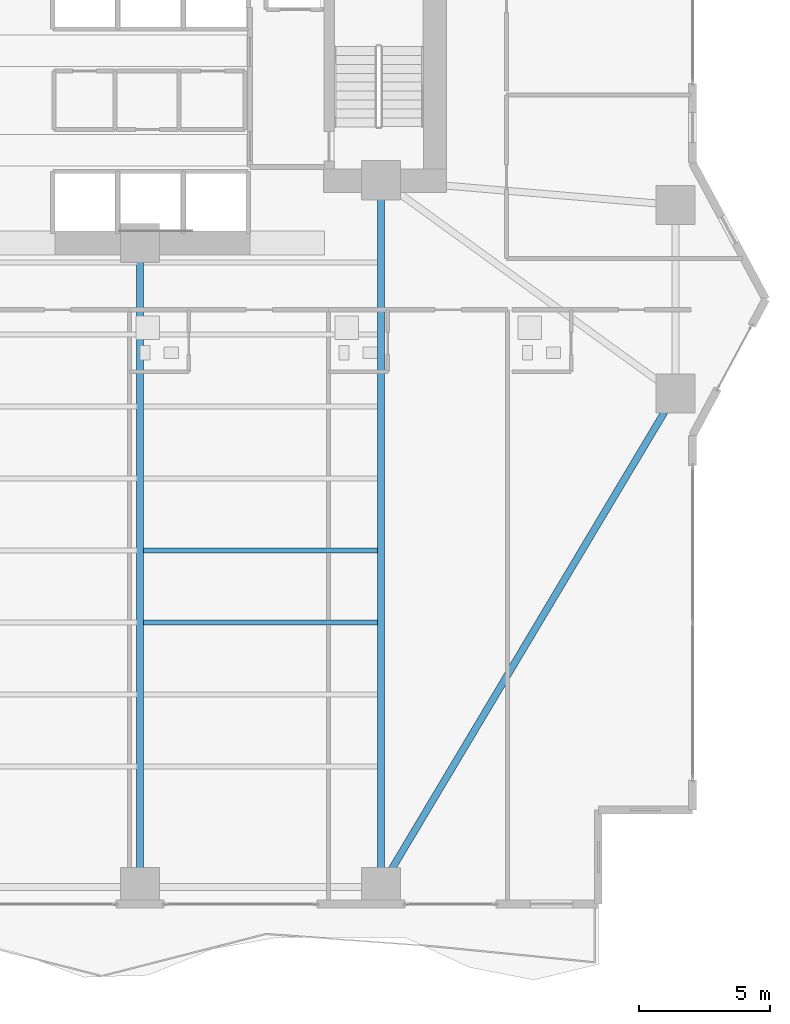
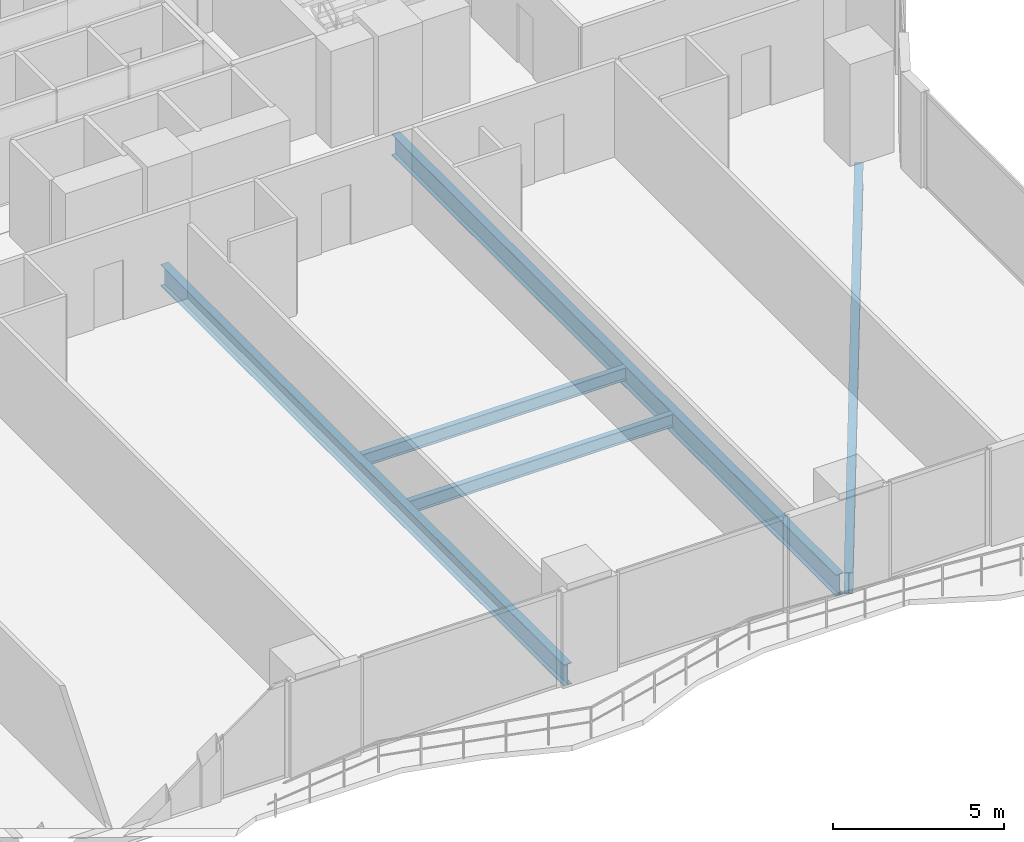
# One storey, part 9 of 28: 5 beams.
"""IFC4 building model written with IfcOpenShell, lengths in metres."""

from ifc_helpers import new_model, si_unit, direction, frame, origin, origin_2d, place, context, subcontext, project, spatial, i_section, extrude, material, material_profile, profile_set, type_object, element, save


model = new_model("IFC4")

# Units and contexts
model_context = context("Model", 3, precision=1e-05, world=origin(), true_north=direction((0.0, 1.0)))
body_context = subcontext(model_context, "Body", "Model", "MODEL_VIEW")
ifc_project = project(units=[si_unit("LENGTHUNIT", "METRE"), si_unit("AREAUNIT", "SQUARE_METRE"), si_unit("VOLUMEUNIT", "CUBIC_METRE"), si_unit("PLANEANGLEUNIT", "RADIAN"), si_unit("MASSUNIT", "GRAM", prefix="KILO")], contexts=[model_context])

# Site, building, storey
site_placement = place(None, origin())
site = spatial("IfcSite", under=ifc_project, at=site_placement, CompositionType="ELEMENT")
building_placement = place(site_placement, origin())
building = spatial("IfcBuilding", under=site, at=building_placement, Name="Zuhayl Quay Hotel", CompositionType="ELEMENT")
storey_placement = place(building_placement, frame((0.0, 0.0, 53.14990234375)))
storey = spatial("IfcBuildingStorey", under=building, at=storey_placement, Name="L12", CompositionType="ELEMENT", Elevation=53.14990234375)

# Beams
ifc_material = material(Name="Steel ASTM A992 Grade 50", Category="steel")
ifc_material_profile_1 = material_profile(ifc_material, i_section(OverallWidth=0.26708984375, OverallDepth=0.761962890625, WebThickness=0.014404296875, FlangeThickness=0.021484375, at=origin_2d()), Name="W30X116")
ifc_profile_set_1 = profile_set([ifc_material_profile_1], Name="Steel ASTM A992 Grade 50")
beam_type_1 = type_object("IfcBeamType", Name="BM_B1_W30X116", PredefinedType="BEAM", material=ifc_profile_set_1)
beam_1_placement = place(storey_placement, frame((14.05615234375, -22.020751953125, -0.600830078125), z_axis=(0.512482593247, 0.85869761361, 0.0), x_axis=(-0.85869761361, 0.512482593247, 0.0)))
element("IfcBeam", 1, at=beam_1_placement, inside=storey, type_object=beam_type_1, Name="L12 Floor Beam RG_L12_04", PredefinedType="BEAM", context=body_context, shape_type="SweptSolid", body=[
    extrude(i_section(OverallWidth=0.26708984375, OverallDepth=0.761962890625, WebThickness=0.014404296875, FlangeThickness=0.021484375, at=origin_2d()), origin(), (0.0, 0.0, 1.0), 20.9521484375),
])
beam_2_placement = place(storey_placement, frame((4.60009765625, -21.949951171875, -0.600830078125), z_axis=(0.0, 1.0, 0.0), x_axis=(-1.0, 0.0, 0.0)))
element("IfcBeam", 2, at=beam_2_placement, inside=storey, type_object=beam_type_1, Name="L12 Floor Beam FG_S_L12_3", PredefinedType="BEAM", context=body_context, shape_type="SweptSolid", body=[
    extrude(i_section(OverallWidth=0.26708984375, OverallDepth=0.761962890625, WebThickness=0.014404296875, FlangeThickness=0.021484375, at=origin_2d()), origin(), (0.0, 0.0, 1.0), 23.64990234375),
])
beam_3_placement = place(storey_placement, frame((13.800048828125, -21.949951171875, -0.600830078125), z_axis=(0.0, 1.0, 0.0), x_axis=(-1.0, 0.0, 0.0)))
element("IfcBeam", 3, at=beam_3_placement, inside=storey, type_object=beam_type_1, Name="L12 Floor Beam FG_S_L12_4", PredefinedType="BEAM", context=body_context, shape_type="SweptSolid", body=[
    extrude(i_section(OverallWidth=0.26708984375, OverallDepth=0.761962890625, WebThickness=0.014404296875, FlangeThickness=0.021484375, at=origin_2d()), origin(), (0.0, 0.0, 1.0), 26.050048828125),
])
ifc_material_profile_2 = material_profile(ifc_material, i_section(OverallWidth=0.18994140625, OverallDepth=0.45703125, WebThickness=0.009033203125, FlangeThickness=0.014404296875, at=origin_2d()), Name="W18X50")
ifc_profile_set_2 = profile_set([ifc_material_profile_2], Name="Steel ASTM A992 Grade 50")
beam_type_2 = type_object("IfcBeamType", Name="BM_J2_W18X50", PredefinedType="JOIST", material=ifc_profile_set_2)
for number, where, z_axis, x_axis, name in (
    (4, (4.7255859375, -12.35009765625, -0.448486328125), (1.0, 0.0, 0.0), (0.0, 1.0, 0.0), "L12 Floor Beam FJ_L12_5_3"),
    (5, (4.7255859375, -9.60009765625, -0.448486328125), (1.0, 0.0, 0.0), (0.0, 1.0, 0.0), "L12 Floor Beam FJ_L12_6_3"),
):
    element("IfcBeam", number, at=place(storey_placement, frame(where, z_axis=z_axis, x_axis=x_axis)), inside=storey, type_object=beam_type_2, Name=name, PredefinedType="JOIST", context=body_context, shape_type="SweptSolid", body=[
        extrude(i_section(OverallWidth=0.18994140625, OverallDepth=0.45703125, WebThickness=0.009033203125, FlangeThickness=0.014404296875, at=origin_2d()), origin(), (0.0, 0.0, 1.0), 8.948974609375),
    ])

save(model, "model.ifc")
